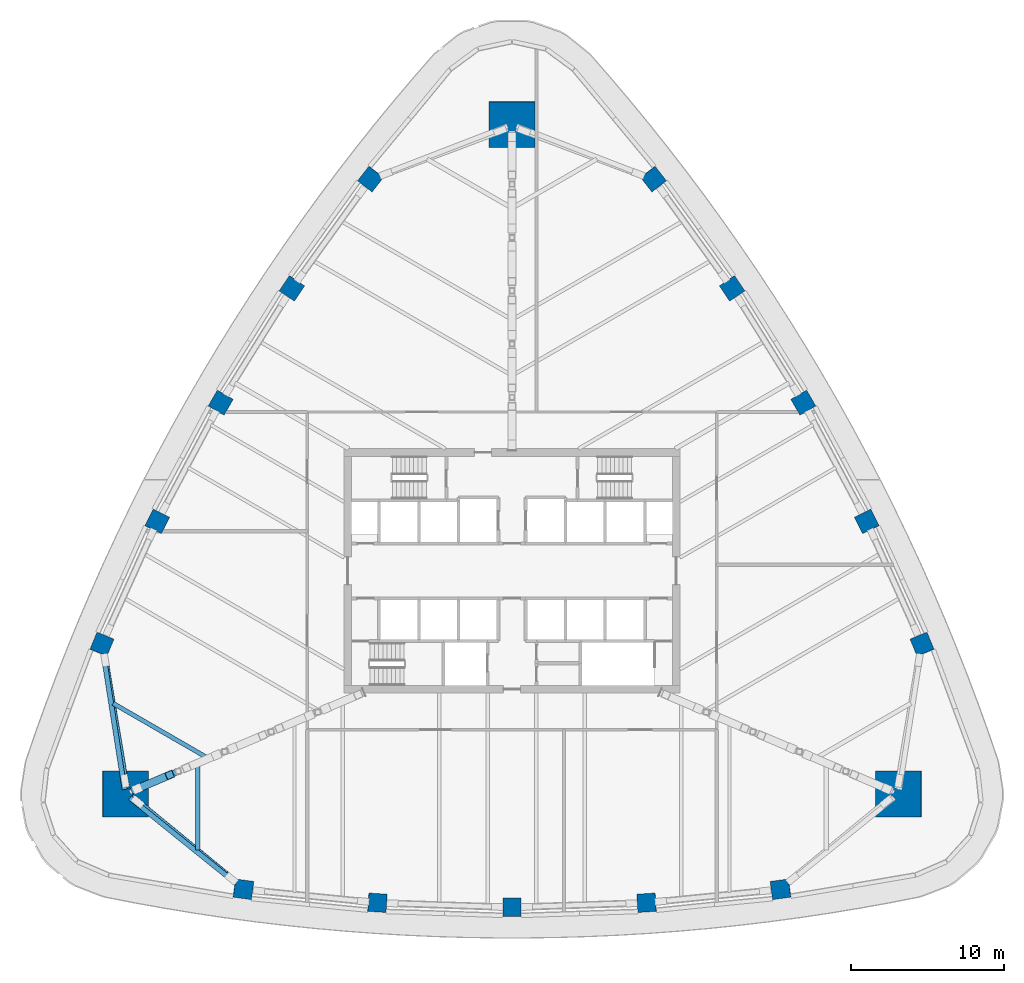
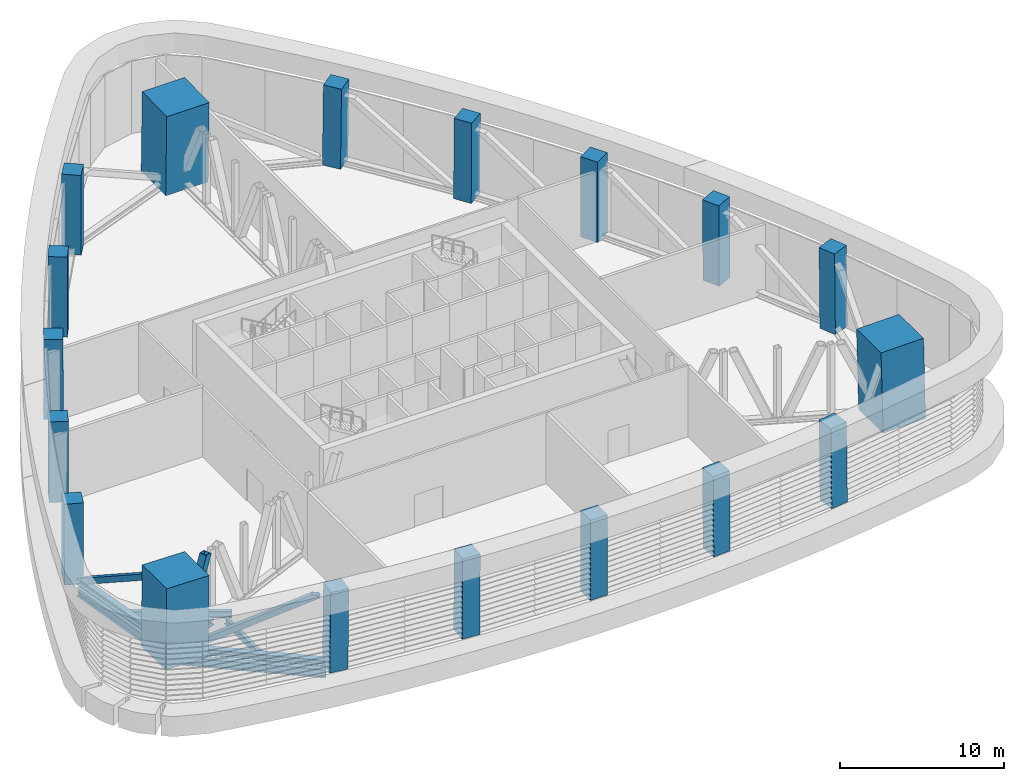
# One storey, part 1 of 18: 18 columns, 7 beams, 3 members.
"""IFC4 building model written with IfcOpenShell, lengths in metres."""

from ifc_helpers import new_model, si_unit, direction, frame, origin, origin_2d, place, context, subcontext, project, spatial, rectangle, hollow_rectangle, i_section, extrude, clip, halfspace, material, material_profile, profile_set, type_object, element, save


model = new_model("IFC4")

# Units and contexts
model_context = context("Model", 3, precision=1e-05, world=origin(), true_north=direction((0.0, 1.0)))
body_context = subcontext(model_context, "Body", "Model", "MODEL_VIEW")
ifc_project = project(units=[si_unit("LENGTHUNIT", "METRE"), si_unit("AREAUNIT", "SQUARE_METRE"), si_unit("VOLUMEUNIT", "CUBIC_METRE"), si_unit("PLANEANGLEUNIT", "RADIAN"), si_unit("MASSUNIT", "GRAM", prefix="KILO")], contexts=[model_context])

# Site, building, storey
site_placement = place(None, origin())
site = spatial("IfcSite", under=ifc_project, at=site_placement, CompositionType="ELEMENT")
building_placement = place(site_placement, origin())
building = spatial("IfcBuilding", under=site, at=building_placement, Name="Sierra Prisma Convention Tower", CompositionType="ELEMENT")
storey_placement = place(building_placement, frame((0.0, 0.0, 112.60009765625)))
storey = spatial("IfcBuildingStorey", under=building, at=storey_placement, Name="L24", CompositionType="ELEMENT", Elevation=112.60009765625)

# Columns
ifc_material_1 = material(Name="Concrete C60/75", Category="concrete")
ifc_material_profile_1 = material_profile(ifc_material_1, rectangle(XDim=3.0, YDim=3.0, at=origin_2d()), Name="Mega column RC 3000 C60/75")
ifc_profile_set_1 = profile_set([ifc_material_profile_1], Name="Concrete C60/75")
column_type_1 = type_object("IfcColumnType", Name="Mega column RC 3000 C60/75", PredefinedType="COLUMN", material=ifc_profile_set_1)
column_1_placement = place(storey_placement, frame((25.321044921875, -14.619140625, 0.0), z_axis=(-0.018753740621, 0.01082103038, 0.999765573779), x_axis=(0.999824133142, 0.000202970493, 0.018752642221)))
element("IfcColumn", 1, at=column_1_placement, inside=storey, type_object=column_type_1, Name="Mega column SE L24", PredefinedType="COLUMN", context=body_context, shape_type="SweptSolid", body=[
    clip(clip(extrude(rectangle(XDim=3.0, YDim=3.0, at=origin_2d()), origin(), (0.0, 0.0, 1.0), 6.00146484375), halfspace(frame((0.0, 0.0, 0.002685546875)), True)), halfspace(frame((0.0, 0.0, 5.997802734375)), False)),
])
column_2_placement = place(storey_placement, frame((0.0, 29.23828125, 0.0), z_axis=(0.0, -0.021682726757, 0.999764902045), x_axis=(1.0, 0.0, 0.0)))
element("IfcColumn", 2, at=column_2_placement, inside=storey, type_object=column_type_1, Name="Mega column N L24", PredefinedType="COLUMN", context=body_context, shape_type="SweptSolid", body=[
    clip(clip(extrude(rectangle(XDim=3.0, YDim=3.0, at=origin_2d()), origin(), (0.0, 0.0, 1.0), 6.00146484375), halfspace(frame((0.0, 0.0, 0.002197265625)), True)), halfspace(frame((0.0, 0.0, 5.998779296875)), False)),
])
column_3_placement = place(storey_placement, frame((-25.321044921875, -14.619140625, 0.0), z_axis=(0.018753740621, 0.01082103038, 0.999765573779), x_axis=(0.999824133142, -0.000202970493, -0.018752642221)))
element("IfcColumn", 3, at=column_3_placement, inside=storey, type_object=column_type_1, Name="Mega column SW L24", PredefinedType="COLUMN", context=body_context, shape_type="SweptSolid", body=[
    clip(clip(extrude(rectangle(XDim=3.0, YDim=3.0, at=origin_2d()), origin(), (0.0, 0.0, 1.0), 6.00146484375), halfspace(frame((0.0, 0.0, 0.002685546875)), True)), halfspace(frame((0.0, 0.0, 5.997802734375)), False)),
])
ifc_material_2 = material(Name="Concrete C60/75", Category="concrete")
ifc_material_profile_2 = material_profile(ifc_material_2, rectangle(XDim=1.199951171875, YDim=1.199951171875, at=origin_2d()), Name="Perimeter column RC 1200 C60/75")
ifc_profile_set_2 = profile_set([ifc_material_profile_2], Name="Concrete C60/75")
column_type_2 = type_object("IfcColumnType", Name="Perimeter column RC 1200 C60/75", PredefinedType="COLUMN", material=ifc_profile_set_2)
column_4_placement = place(storey_placement, frame((-17.591064453125, -20.851318359375, 0.0), z_axis=(0.010700876158, -0.001261320003, 0.999941948476), x_axis=(-0.991045788654, 0.13308709716, 0.01077354909)))
element("IfcColumn", 4, at=column_4_placement, inside=storey, type_object=column_type_2, Name="Perimeter column S-1 L24", PredefinedType="COLUMN", context=body_context, shape_type="SweptSolid", body=[
    clip(clip(extrude(rectangle(XDim=1.199951171875, YDim=1.199951171875, at=origin_2d()), origin(), (0.0, 0.0, 1.0), 6.000244140625), halfspace(frame((0.0, 0.0, 0.00341796875)), True)), halfspace(frame((0.0, 0.0, 5.997802734375)), False)),
])
for number, where, z_axis, x_axis, name in (
    (5, (-8.815185546875, -21.73291015625, 0.0), (0.005371014316, -0.00085447955, 0.999985210926), (-0.997758762507, 0.066694214829, 0.005416045539), "Perimeter column S-2 L24"),
    (6, (0.0, -22.027099609375, 0.0), (0.0, -0.000732421679, 0.999999731779), (1.0, 0.0, 0.0), "Perimeter column S-3 L24"),
    (7, (8.815185546875, -21.73291015625, 0.0), (-0.005371014316, -0.00085447955, 0.999985210926), (0.997758762507, 0.066694214829, 0.005416045539), "Perimeter column S-4 L24"),
):
    element("IfcColumn", number, at=place(storey_placement, frame(where, z_axis=z_axis, x_axis=x_axis)), inside=storey, type_object=column_type_2, Name=name, PredefinedType="COLUMN", context=body_context, shape_type="SweptSolid", body=[
        clip(clip(extrude(rectangle(XDim=1.199951171875, YDim=1.199951171875, at=origin_2d()), origin(), (0.0, 0.0, 1.0), 6.0), halfspace(frame((0.0, 0.0, 0.003173828125)), True)), halfspace(frame((0.0, 0.0, 5.997802734375)), False)),
    ])
for number, where, z_axis, x_axis, name in (
    (8, (17.591064453125, -20.851318359375, 0.0), (-0.010700876158, -0.001261320003, 0.999941948476), (0.991045788654, 0.13308709716, 0.01077354909), "Perimeter column S-5 L24"),
    (9, (26.853271484375, -4.80859375, 0.0), (-0.004272213113, 0.009887121775, 0.999941994827), (-0.380279312815, 0.924808993137, -0.010768958056), "Perimeter column NE-1 L24"),
):
    element("IfcColumn", number, at=place(storey_placement, frame(where, z_axis=z_axis, x_axis=x_axis)), inside=storey, type_object=column_type_2, Name=name, PredefinedType="COLUMN", context=body_context, shape_type="SweptSolid", body=[
        clip(clip(extrude(rectangle(XDim=1.199951171875, YDim=1.199951171875, at=origin_2d()), origin(), (0.0, 0.0, 1.0), 6.000244140625), halfspace(frame((0.0, 0.0, 0.00341796875)), True)), halfspace(frame((0.0, 0.0, 5.997802734375)), False)),
    ])
for number, where, z_axis, x_axis, name in (
    (10, (23.228759765625, 3.232421875, 0.0), (-0.001953096414, 0.00504549907, 0.99998536407), (-0.441122864663, 0.897430537855, -0.005389619311), "Perimeter column NE-2 L24"),
    (11, (19.076171875, 11.013671875, 0.0), (0.000610351416, 0.000325520755, 0.999999760754), (-0.5, 0.866025196591, -0.000281909244), "Perimeter column NE-3 L24"),
    (12, (14.41357421875, 18.50048828125, 0.0), (0.003417918767, -0.004191019441, 0.999985376487), (-0.556646196926, 0.830732219874, 0.005384265104), "Perimeter column NE-4 L24"),
):
    element("IfcColumn", number, at=place(storey_placement, frame(where, z_axis=z_axis, x_axis=x_axis)), inside=storey, type_object=column_type_2, Name=name, PredefinedType="COLUMN", context=body_context, shape_type="SweptSolid", body=[
        clip(clip(extrude(rectangle(XDim=1.199951171875, YDim=1.199951171875, at=origin_2d()), origin(), (0.0, 0.0, 1.0), 6.0), halfspace(frame((0.0, 0.0, 0.003173828125)), True)), halfspace(frame((0.0, 0.0, 5.997802734375)), False)),
    ])
for number, where, z_axis, x_axis, name in (
    (13, (9.26220703125, 25.659912109375, 0.0), (0.006428664424, -0.008625802898, 0.999942132225), (-0.610807129955, 0.791706353307, 0.010756399472), "Perimeter column NE-5 L24"),
    (14, (-9.26220703125, 25.659912109375, 0.0), (-0.006428664424, -0.008625802898, 0.999942132225), (0.610807129955, 0.791706353307, 0.010756399472), "Perimeter column NW-1 L24"),
):
    element("IfcColumn", number, at=place(storey_placement, frame(where, z_axis=z_axis, x_axis=x_axis)), inside=storey, type_object=column_type_2, Name=name, PredefinedType="COLUMN", context=body_context, shape_type="SweptSolid", body=[
        clip(clip(extrude(rectangle(XDim=1.199951171875, YDim=1.199951171875, at=origin_2d()), origin(), (0.0, 0.0, 1.0), 6.000244140625), halfspace(frame((0.0, 0.0, 0.00341796875)), True)), halfspace(frame((0.0, 0.0, 5.997802734375)), False)),
    ])
for number, where, z_axis, x_axis, name in (
    (15, (-14.41357421875, 18.50048828125, 0.0), (-0.003417918767, -0.004191019441, 0.999985376487), (0.556646196926, 0.830732219874, 0.005384265104), "Perimeter column NW-2 L24"),
    (16, (-19.076171875, 11.013671875, 0.0), (-0.000610351416, 0.000325520755, 0.999999760754), (0.5, 0.866025196591, -0.000281909244), "Perimeter column NW-3 L24"),
    (17, (-23.228759765625, 3.232421875, 0.0), (0.001953096414, 0.00504549907, 0.99998536407), (0.441122864663, 0.897430537855, -0.005389619311), "Perimeter column NW-4 L24"),
):
    element("IfcColumn", number, at=place(storey_placement, frame(where, z_axis=z_axis, x_axis=x_axis)), inside=storey, type_object=column_type_2, Name=name, PredefinedType="COLUMN", context=body_context, shape_type="SweptSolid", body=[
        clip(clip(extrude(rectangle(XDim=1.199951171875, YDim=1.199951171875, at=origin_2d()), origin(), (0.0, 0.0, 1.0), 6.0), halfspace(frame((0.0, 0.0, 0.003173828125)), True)), halfspace(frame((0.0, 0.0, 5.997802734375)), False)),
    ])
column_5_placement = place(storey_placement, frame((-26.853271484375, -4.80859375, 0.0), z_axis=(0.004272213113, 0.009887121775, 0.999941994827), x_axis=(0.380279312815, 0.924808993137, -0.010768958056)))
element("IfcColumn", 18, at=column_5_placement, inside=storey, type_object=column_type_2, Name="Perimeter column NW-5 L24", PredefinedType="COLUMN", context=body_context, shape_type="SweptSolid", body=[
    clip(clip(extrude(rectangle(XDim=1.199951171875, YDim=1.199951171875, at=origin_2d()), origin(), (0.0, 0.0, 1.0), 6.000244140625), halfspace(frame((0.0, 0.0, 0.00341796875)), True)), halfspace(frame((0.0, 0.0, 5.997802734375)), False)),
])

# Beams
ifc_material_3 = material(Name="Steel ASTM A992 Gr 50", Category="steel")
ifc_material_profile_3 = material_profile(ifc_material_3, i_section(OverallWidth=0.280029296875, OverallDepth=0.462890625, WebThickness=0.0107421875, FlangeThickness=0.017333984375, at=origin_2d()), Name="W460x113")
ifc_profile_set_3 = profile_set([ifc_material_profile_3], Name="Steel ASTM A992 Gr 50")
beam_type_1 = type_object("IfcBeamType", Name="Plant floor joist W460x113", PredefinedType="JOIST", material=ifc_profile_set_3)
beam_1_placement = place(storey_placement, frame((-20.573486328125, -18.2880859375, -0.481689453125), z_axis=(0.0, 1.0, 0.0), x_axis=(-1.0, 0.0, 0.0)))
element("IfcBeam", 19, at=beam_1_placement, inside=storey, type_object=beam_type_1, Name="Floor joist L24 S02", PredefinedType="JOIST", context=body_context, shape_type="SweptSolid", body=[
    extrude(i_section(OverallWidth=0.280029296875, OverallDepth=0.462890625, WebThickness=0.0107421875, FlangeThickness=0.017333984375, at=origin_2d()), origin(), (0.0, 0.0, 1.0), 5.635986328125),
])
beam_2_placement = place(storey_placement, frame((-26.12451171875, -8.673095703125, -0.481689453125), z_axis=(0.86602732995, -0.499996663769, 0.0), x_axis=(0.499996663769, 0.86602732995, 0.0)))
element("IfcBeam", 20, at=beam_2_placement, inside=storey, type_object=beam_type_1, Name="Floor joist L24 NW15", PredefinedType="JOIST", context=body_context, shape_type="SweptSolid", body=[
    extrude(i_section(OverallWidth=0.280029296875, OverallDepth=0.462890625, WebThickness=0.0107421875, FlangeThickness=0.017333984375, at=origin_2d()), origin(), (0.0, 0.0, 1.0), 7.16748046875),
])
ifc_material_4 = material(Name="Steel ASTM A992 Gr 50", Category="steel")
ifc_material_profile_4 = material_profile(ifc_material_4, i_section(OverallWidth=0.324951171875, OverallDepth=0.615966796875, WebThickness=0.013916015625, FlangeThickness=0.021484375, at=origin_2d()), Name="W610x174")
ifc_profile_set_4 = profile_set([ifc_material_profile_4], Name="Steel ASTM A992 Gr 50")
beam_type_2 = type_object("IfcBeamType", Name="Spandrel beam W610x174", PredefinedType="BEAM", material=ifc_profile_set_4)
beam_3_placement = place(storey_placement, frame((-25.02099609375, -14.861083984375, -0.55810546875), z_axis=(0.778503206142, -0.627640628088, 0.0), x_axis=(0.627640628088, 0.778503206142, 0.0)))
element("IfcBeam", 21, at=beam_3_placement, inside=storey, type_object=beam_type_2, Name="Spandrel L24-01", PredefinedType="BEAM", context=body_context, shape_type="SweptSolid", body=[
    extrude(i_section(OverallWidth=0.324951171875, OverallDepth=0.615966796875, WebThickness=0.013916015625, FlangeThickness=0.021484375, at=origin_2d()), origin(), (0.0, 0.0, 1.0), 8.962158203125),
])
beam_4_placement = place(storey_placement, frame((-26.763427734375, -5.38330078125, -0.55810546875), z_axis=(0.154300296879, -0.988023996866, 0.0), x_axis=(0.988023996866, 0.154300296879, 0.0)))
element("IfcBeam", 22, at=beam_4_placement, inside=storey, type_object=beam_type_2, Name="Spandrel L24-18", PredefinedType="BEAM", context=body_context, shape_type="SweptSolid", body=[
    extrude(i_section(OverallWidth=0.324951171875, OverallDepth=0.615966796875, WebThickness=0.013916015625, FlangeThickness=0.021484375, at=origin_2d()), origin(), (0.0, 0.0, 1.0), 9.044189453125),
])
ifc_material_5 = material(Name="Steel ASTM A992 Gr 50", Category="steel")
ifc_material_profile_5 = material_profile(ifc_material_5, i_section(OverallWidth=0.41796875, OverallDepth=0.4580078125, WebThickness=0.036376953125, FlangeThickness=0.05859375, at=origin_2d()), Name="W360x463")
ifc_profile_set_5 = profile_set([ifc_material_profile_5], Name="Steel ASTM A992 Gr 50")
beam_type_3 = type_object("IfcBeamType", Name="Truss chord W360x463", PredefinedType="BEAM", material=ifc_profile_set_5)
beam_5_placement = place(storey_placement, frame((-24.908447265625, -14.80029296875, 0.22900390625), z_axis=(0.772990491714, -0.634417606722, 0.0), x_axis=(0.634417606722, 0.772990491714, 0.0)))
element("IfcBeam", 23, at=beam_5_placement, inside=storey, type_object=beam_type_3, Name="Belt truss L24-01 bottom chord 1", PredefinedType="BEAM", context=body_context, shape_type="SweptSolid", body=[
    extrude(i_section(OverallWidth=0.41796875, OverallDepth=0.4580078125, WebThickness=0.036376953125, FlangeThickness=0.05859375, at=origin_2d()), origin(), (0.0, 0.0, 1.0), 8.964111328125),
])
beam_6_placement = place(storey_placement, frame((-26.732421875, -5.326904296875, 0.22900390625), z_axis=(0.162946140063, -0.986634965648, 0.0), x_axis=(0.986634965648, 0.162946140063, 0.0)))
element("IfcBeam", 24, at=beam_6_placement, inside=storey, type_object=beam_type_3, Name="Belt truss L24-18 bottom chord 1", PredefinedType="BEAM", context=body_context, shape_type="SweptSolid", body=[
    extrude(i_section(OverallWidth=0.41796875, OverallDepth=0.4580078125, WebThickness=0.036376953125, FlangeThickness=0.05859375, at=origin_2d()), origin(), (0.0, 0.0, 1.0), 9.048095703125),
])
beam_7_placement = place(storey_placement, frame((-24.908447265625, -14.426513671875, 0.22900390625), z_axis=(0.920210642768, 0.391423521184, 0.0), x_axis=(-0.391423521184, 0.920210642768, 0.0)))
element("IfcBeam", 25, at=beam_7_placement, inside=storey, type_object=beam_type_3, Name="Outrigger truss L24 SW bottom chord 1", PredefinedType="BEAM", context=body_context, shape_type="SweptSolid", body=[
    extrude(i_section(OverallWidth=0.41796875, OverallDepth=0.4580078125, WebThickness=0.036376953125, FlangeThickness=0.05859375, at=origin_2d()), origin(), (0.0, 0.0, 1.0), 3.3076171875),
])

# Members
ifc_material_6 = material(Name="Steel ASTM A500 Gr C", Category="steel")
ifc_material_profile_6 = material_profile(ifc_material_6, hollow_rectangle(XDim=0.406005859375, YDim=0.406005859375, WallThickness=0.01904296875, at=origin_2d()), Name="Truss diagonal HSS 406x406x19")
ifc_profile_set_6 = profile_set([ifc_material_profile_6], Name="Steel ASTM A500 Gr C")
member_type_1 = type_object("IfcMemberType", Name="Truss diagonal HSS 406x406x19", PredefinedType="BRACE", material=ifc_profile_set_6)
member_1_placement = place(storey_placement, frame((-24.51123046875, -15.126220703125, 0.4580078125), z_axis=(0.662300798744, -0.543614850927, 0.515597270974), x_axis=(0.634448119889, 0.772965447591, 0.0)))
element("IfcMember", 26, at=member_1_placement, inside=storey, type_object=member_type_1, Name="Belt truss L24-01 diagonal 1", PredefinedType="BRACE", context=body_context, shape_type="SweptSolid", body=[
    clip(clip(extrude(hollow_rectangle(XDim=0.406005859375, YDim=0.406005859375, WallThickness=0.01904296875, at=origin_2d()), origin(), (0.0, 0.0, 1.0), 9.2626953125), halfspace(frame((0.0, 0.0126953125, 0.007568359375), z_axis=(0.0, 0.856831053455, 0.515597270974), x_axis=(1.0, 0.0, 0.0)), True)), halfspace(frame((0.0, -0.0126953125, 9.255126953125), z_axis=(0.0, -0.856831053455, -0.515597270974), x_axis=(1.0, 0.0, 0.0)), True)),
])
member_2_placement = place(storey_placement, frame((-26.648193359375, -5.83642578125, 0.4580078125), z_axis=(0.139993309216, -0.847574444637, 0.51187833923), x_axis=(0.986632440953, 0.162961426294, 0.0)))
element("IfcMember", 27, at=member_2_placement, inside=storey, type_object=member_type_1, Name="Belt truss L24-18 diagonal 1", PredefinedType="BRACE", context=body_context, shape_type="SweptSolid", body=[
    clip(clip(extrude(hollow_rectangle(XDim=0.406005859375, YDim=0.406005859375, WallThickness=0.01904296875, at=origin_2d()), origin(), (0.0, 0.0, 1.0), 9.330078125), halfspace(frame((0.0, 0.0126953125, 0.007568359375), z_axis=(0.0, 0.859057952543, 0.51187833923), x_axis=(1.0, 0.0, 0.0)), True)), halfspace(frame((0.0, -0.0126953125, 9.322509765625), z_axis=(0.0, -0.859057952543, -0.51187833923), x_axis=(1.0, 0.0, 0.0)), True)),
])
ifc_material_7 = material(Name="Steel ASTM A572 Gr 50", Category="steel")
ifc_material_profile_7 = material_profile(ifc_material_7, hollow_rectangle(XDim=0.508056640625, YDim=0.508056640625, WallThickness=0.025390625, at=origin_2d()), Name="Truss diagonal HSS 508x508x25")
ifc_profile_set_7 = profile_set([ifc_material_profile_7], Name="Steel ASTM A572 Gr 50")
member_type_2 = type_object("IfcMemberType", Name="Truss diagonal HSS 508x508x25", PredefinedType="BRACE", material=ifc_profile_set_7)
member_3_placement = place(storey_placement, frame((-24.54150390625, -14.2705078125, 0.4580078125), z_axis=(0.378649948791, 0.161090980375, 0.911413140306), x_axis=(-0.391479736716, 0.920186728735, 0.0)))
element("IfcMember", 28, at=member_3_placement, inside=storey, type_object=member_type_2, Name="Outrigger truss L24 SW diagonal 1", PredefinedType="BRACE", context=body_context, shape_type="SweptSolid", body=[
    clip(clip(extrude(hollow_rectangle(XDim=0.508056640625, YDim=0.508056640625, WallThickness=0.025390625, at=origin_2d()), origin(), (0.0, 0.0, 1.0), 5.668212890625), halfspace(frame((0.0, 0.006103515625, 0.013671875), z_axis=(0.0, 0.411492512299, 0.911413140306), x_axis=(1.0, 0.0, 0.0)), True)), halfspace(frame((0.0, 0.0, 5.668212890625), z_axis=(0.0, -0.411492512299, -0.911413140306), x_axis=(1.0, 0.0, 0.0)), True)),
])

save(model, "model.ifc")
